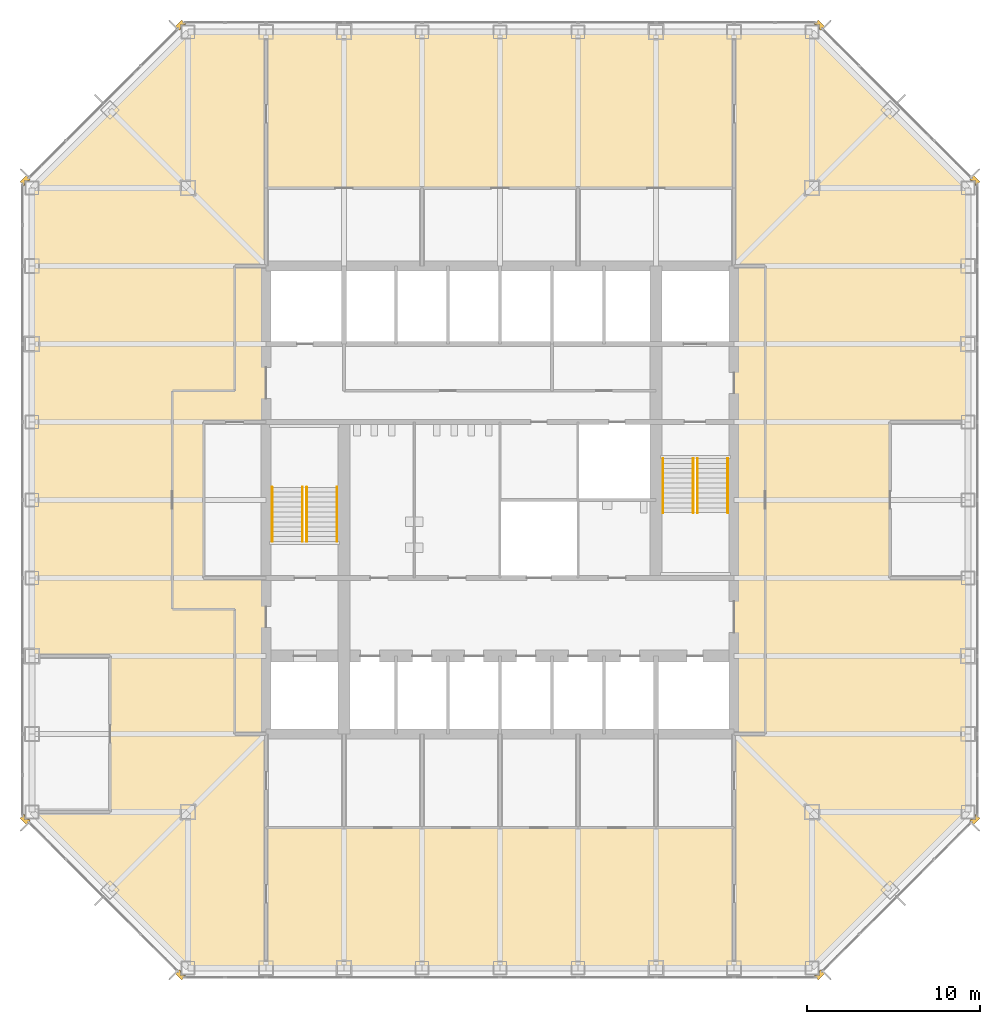
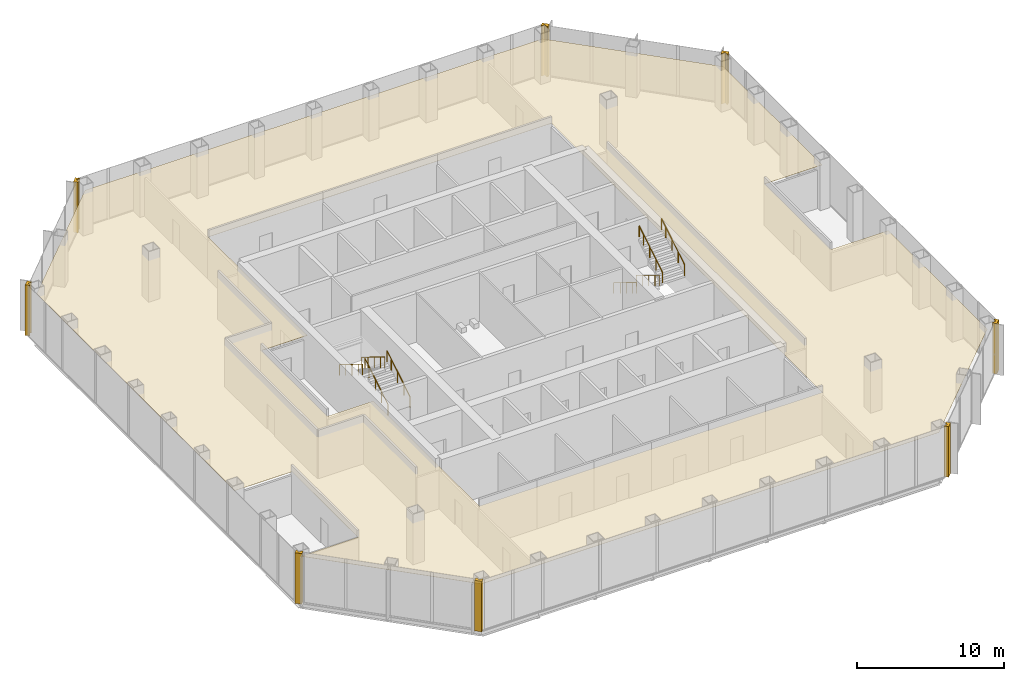
# One storey, part 11 of 12: 9 coverings, 8 railings.
"""IFC4 building model written with IfcOpenShell, lengths in metres."""

from ifc_helpers import new_model, si_unit, direction, frame, origin, origin_2d, place, context, subcontext, project, spatial, polyline, circle, outline, extrude, material, layer, layer_set, type_object, element, save


model = new_model("IFC4")

# Units and contexts
model_context = context("Model", 3, precision=1e-05, world=origin(), true_north=direction((0.0, 1.0)))
body_context = subcontext(model_context, "Body", "Model", "MODEL_VIEW")
ifc_project = project(units=[si_unit("LENGTHUNIT", "METRE"), si_unit("AREAUNIT", "SQUARE_METRE"), si_unit("VOLUMEUNIT", "CUBIC_METRE"), si_unit("PLANEANGLEUNIT", "RADIAN"), si_unit("MASSUNIT", "GRAM", prefix="KILO")], contexts=[model_context])

# Site, building, storey
site_placement = place(None, origin())
site = spatial("IfcSite", under=ifc_project, at=site_placement, CompositionType="ELEMENT")
building_placement = place(site_placement, origin())
building = spatial("IfcBuilding", under=site, at=building_placement, Name="Corais Broadcast Tower", CompositionType="ELEMENT")
storey_placement = place(building_placement, frame((0.0, 0.0, 54.199951171875)))
storey = spatial("IfcBuildingStorey", under=building, at=storey_placement, Name="L11", CompositionType="ELEMENT", Elevation=54.199951171875)

# Railings
ifc_material_1 = material(Name="Stainless steel handrail", Category="steel")
railing_type = type_object("IfcRailingType", Name="Handrail 920", PredefinedType="HANDRAIL", material=ifc_material_1)
for number, where, name in (
    (1, (17.60009765625, 24.60009765625, 0.175048828125), "HR1 L11"),
    (2, (15.85009765625, 24.60009765625, 0.175048828125), "HR1 L11"),
):
    element("IfcRailing", number, at=place(storey_placement, frame(where)), inside=storey, type_object=railing_type, Name=name, PredefinedType="HANDRAIL", context=body_context, shape_type="SweptSolid", body=[
        extrude(circle(Radius=0.02392578125, at=origin_2d()), frame((0.0, 0.0, 0.89599609375), z_axis=(0.0, 0.852166034122, 0.523271488128), x_axis=(-1.0, 0.0, 0.0)), (0.0, 0.0, 1.0), 3.678955078125),
        extrude(circle(Radius=0.02099609375, at=origin_2d()), origin(), (0.0, 0.0, 1.0), 0.871826171875),
        extrude(circle(Radius=0.02099609375, at=origin_2d()), frame((0.0, 0.85498046875, 0.52490234375)), (0.0, 0.0, 1.0), 0.871826171875),
        extrude(circle(Radius=0.02099609375, at=origin_2d()), frame((0.0, 1.7099609375, 1.050048828125)), (0.0, 0.0, 1.0), 0.871826171875),
        extrude(circle(Radius=0.02099609375, at=origin_2d()), frame((0.0, 2.56494140625, 1.574951171875)), (0.0, 0.0, 1.0), 0.871826171875),
        extrude(circle(Radius=0.02099609375, at=origin_2d()), frame((0.0, 3.135009765625, 1.925048828125)), (0.0, 0.0, 1.0), 0.871826171875),
    ])
for number, where, name in (
    (3, (13.85009765625, 27.735107421875, 2.275146484375), "HR1 L11"),
    (4, (15.60009765625, 27.735107421875, 2.275146484375), "HR1 L11"),
):
    element("IfcRailing", number, at=place(storey_placement, frame(where)), inside=storey, type_object=railing_type, Name=name, PredefinedType="HANDRAIL", context=body_context, shape_type="SweptSolid", body=[
        extrude(circle(Radius=0.02392578125, at=origin_2d()), frame((0.0, 0.0, 0.89599609375), z_axis=(0.0, -0.852195625947, 0.523223293744), x_axis=(1.0, 0.0, 0.0)), (0.0, 0.0, 1.0), 3.6787109375),
        extrude(circle(Radius=0.02099609375, at=origin_2d()), origin(), (0.0, 0.0, 1.0), 0.871826171875),
        extrude(circle(Radius=0.02099609375, at=origin_2d()), frame((0.0, -0.85498046875, 0.52490234375)), (0.0, 0.0, 1.0), 0.871826171875),
        extrude(circle(Radius=0.02099609375, at=origin_2d()), frame((0.0, -1.7099609375, 1.0498046875)), (0.0, 0.0, 1.0), 0.871826171875),
        extrude(circle(Radius=0.02099609375, at=origin_2d()), frame((0.0, -2.56494140625, 1.574951171875)), (0.0, 0.0, 1.0), 0.871826171875),
        extrude(circle(Radius=0.02099609375, at=origin_2d()), frame((0.0, -3.135009765625, 1.9248046875)), (0.0, 0.0, 1.0), 0.871826171875),
    ])
for number, where, name in (
    (5, (36.39990234375, 29.39990234375, 0.175048828125), "HR1 L11"),
    (6, (38.14990234375, 29.39990234375, 0.175048828125), "HR1 L11"),
):
    element("IfcRailing", number, at=place(storey_placement, frame(where)), inside=storey, type_object=railing_type, Name=name, PredefinedType="HANDRAIL", context=body_context, shape_type="SweptSolid", body=[
        extrude(circle(Radius=0.02392578125, at=origin_2d()), frame((0.0, 0.0, 0.89599609375), z_axis=(0.0, -0.852166034122, 0.523271488128), x_axis=(1.0, 0.0, 0.0)), (0.0, 0.0, 1.0), 3.678955078125),
        extrude(circle(Radius=0.02099609375, at=origin_2d()), origin(), (0.0, 0.0, 1.0), 0.871826171875),
        extrude(circle(Radius=0.02099609375, at=origin_2d()), frame((0.0, -0.85498046875, 0.52490234375)), (0.0, 0.0, 1.0), 0.871826171875),
        extrude(circle(Radius=0.02099609375, at=origin_2d()), frame((0.0, -1.7099609375, 1.050048828125)), (0.0, 0.0, 1.0), 0.871826171875),
        extrude(circle(Radius=0.02099609375, at=origin_2d()), frame((0.0, -2.56494140625, 1.574951171875)), (0.0, 0.0, 1.0), 0.871826171875),
        extrude(circle(Radius=0.02099609375, at=origin_2d()), frame((0.0, -3.135009765625, 1.925048828125)), (0.0, 0.0, 1.0), 0.871826171875),
    ])
for number, where, name in (
    (7, (40.14990234375, 26.264892578125, 2.275146484375), "HR1 L11"),
    (8, (38.39990234375, 26.264892578125, 2.275146484375), "HR1 L11"),
):
    element("IfcRailing", number, at=place(storey_placement, frame(where)), inside=storey, type_object=railing_type, Name=name, PredefinedType="HANDRAIL", context=body_context, shape_type="SweptSolid", body=[
        extrude(circle(Radius=0.02392578125, at=origin_2d()), frame((0.0, 0.0, 0.89599609375), z_axis=(0.0, 0.852195625947, 0.523223293744), x_axis=(-1.0, 0.0, 0.0)), (0.0, 0.0, 1.0), 3.6787109375),
        extrude(circle(Radius=0.02099609375, at=origin_2d()), origin(), (0.0, 0.0, 1.0), 0.871826171875),
        extrude(circle(Radius=0.02099609375, at=origin_2d()), frame((0.0, 0.85498046875, 0.52490234375)), (0.0, 0.0, 1.0), 0.871826171875),
        extrude(circle(Radius=0.02099609375, at=origin_2d()), frame((0.0, 1.7099609375, 1.0498046875)), (0.0, 0.0, 1.0), 0.871826171875),
        extrude(circle(Radius=0.02099609375, at=origin_2d()), frame((0.0, 2.56494140625, 1.574951171875)), (0.0, 0.0, 1.0), 0.871826171875),
        extrude(circle(Radius=0.02099609375, at=origin_2d()), frame((0.0, 3.135009765625, 1.9248046875)), (0.0, 0.0, 1.0), 0.871826171875),
    ])

# Coverings
ifc_material_2 = material(Name="Granite stone cladding", Category="masonry")
ifc_layer_1 = layer(ifc_material_2, 0.324951171875)
ifc_layer_set_1 = layer_set([ifc_layer_1], Name="Granite stone cladding")
covering_type_1 = type_object("IfcCoveringType", Name="Stone corner pier cladding 500x325", PredefinedType="CLADDING", material=ifc_layer_set_1)
covering_1_placement = place(storey_placement, origin())
element("IfcCovering", 9, at=covering_1_placement, inside=storey, type_object=covering_type_1, Name="SP1 stone corner pier L11", PredefinedType="CLADDING", context=body_context, shape_type="SweptSolid", body=[
    extrude(outline(polyline([(8.860595703125, -0.461669921875), (8.823974609375, -0.425048828125), (8.574951171875, -0.425048828125), (8.574951171875, -0.176025390625), (8.507080078125, -0.108154296875), (8.277099609375, -0.337890625), (8.630859375, -0.69140625), (8.860595703125, -0.461669921875)])), origin(), (0.0, 0.0, 1.0), 4.199951171875),
])
covering_2_placement = place(storey_placement, origin())
element("IfcCovering", 10, at=covering_2_placement, inside=storey, type_object=covering_type_1, Name="SP1 stone corner pier L11", PredefinedType="CLADDING", context=body_context, shape_type="SweptSolid", body=[
    extrude(outline(polyline([(-0.425048828125, 8.823974609375), (-0.461669921875, 8.860595703125), (-0.69140625, 8.630859375), (-0.337890625, 8.277099609375), (-0.108154296875, 8.507080078125), (-0.176025390625, 8.574951171875), (-0.425048828125, 8.574951171875), (-0.425048828125, 8.823974609375)])), origin(), (0.0, 0.0, 1.0), 4.199951171875),
])
covering_3_placement = place(storey_placement, origin())
element("IfcCovering", 11, at=covering_3_placement, inside=storey, type_object=covering_type_1, Name="SP1 stone corner pier L11", PredefinedType="CLADDING", context=body_context, shape_type="SweptSolid", body=[
    extrude(outline(polyline([(-0.461669921875, 45.139404296875), (-0.425048828125, 45.176025390625), (-0.425048828125, 45.425048828125), (-0.176025390625, 45.425048828125), (-0.108154296875, 45.492919921875), (-0.337890625, 45.722900390625), (-0.69140625, 45.369140625), (-0.461669921875, 45.139404296875)])), origin(), (0.0, 0.0, 1.0), 4.199951171875),
])
covering_4_placement = place(storey_placement, origin())
element("IfcCovering", 12, at=covering_4_placement, inside=storey, type_object=covering_type_1, Name="SP1 stone corner pier L11", PredefinedType="CLADDING", context=body_context, shape_type="SweptSolid", body=[
    extrude(outline(polyline([(8.823974609375, 54.425048828125), (8.860595703125, 54.461669921875), (8.630859375, 54.69140625), (8.277099609375, 54.337890625), (8.507080078125, 54.108154296875), (8.574951171875, 54.176025390625), (8.574951171875, 54.425048828125), (8.823974609375, 54.425048828125)])), origin(), (0.0, 0.0, 1.0), 4.199951171875),
])
covering_5_placement = place(storey_placement, origin())
element("IfcCovering", 13, at=covering_5_placement, inside=storey, type_object=covering_type_1, Name="SP1 stone corner pier L11", PredefinedType="CLADDING", context=body_context, shape_type="SweptSolid", body=[
    extrude(outline(polyline([(45.139404296875, 54.461669921875), (45.176025390625, 54.425048828125), (45.425048828125, 54.425048828125), (45.425048828125, 54.176025390625), (45.492919921875, 54.108154296875), (45.722900390625, 54.337890625), (45.369140625, 54.69140625), (45.139404296875, 54.461669921875)])), origin(), (0.0, 0.0, 1.0), 4.199951171875),
])
covering_6_placement = place(storey_placement, origin())
element("IfcCovering", 14, at=covering_6_placement, inside=storey, type_object=covering_type_1, Name="SP1 stone corner pier L11", PredefinedType="CLADDING", context=body_context, shape_type="SweptSolid", body=[
    extrude(outline(polyline([(54.425048828125, 45.176025390625), (54.461669921875, 45.139404296875), (54.69140625, 45.369140625), (54.337890625, 45.722900390625), (54.108154296875, 45.492919921875), (54.176025390625, 45.425048828125), (54.425048828125, 45.425048828125), (54.425048828125, 45.176025390625)])), origin(), (0.0, 0.0, 1.0), 4.199951171875),
])
covering_7_placement = place(storey_placement, origin())
element("IfcCovering", 15, at=covering_7_placement, inside=storey, type_object=covering_type_1, Name="SP1 stone corner pier L11", PredefinedType="CLADDING", context=body_context, shape_type="SweptSolid", body=[
    extrude(outline(polyline([(54.461669921875, 8.860595703125), (54.425048828125, 8.823974609375), (54.425048828125, 8.574951171875), (54.176025390625, 8.574951171875), (54.108154296875, 8.507080078125), (54.337890625, 8.277099609375), (54.69140625, 8.630859375), (54.461669921875, 8.860595703125)])), origin(), (0.0, 0.0, 1.0), 4.199951171875),
])
covering_8_placement = place(storey_placement, origin())
element("IfcCovering", 16, at=covering_8_placement, inside=storey, type_object=covering_type_1, Name="SP1 stone corner pier L11", PredefinedType="CLADDING", context=body_context, shape_type="SweptSolid", body=[
    extrude(outline(polyline([(45.176025390625, -0.425048828125), (45.139404296875, -0.461669921875), (45.369140625, -0.69140625), (45.722900390625, -0.337890625), (45.492919921875, -0.108154296875), (45.425048828125, -0.176025390625), (45.425048828125, -0.425048828125), (45.176025390625, -0.425048828125)])), origin(), (0.0, 0.0, 1.0), 4.199951171875),
])
ifc_material_3 = material(Name="Mineral fibre ceiling tile", Category="mineral")
ifc_layer_2 = layer(ifc_material_3, 0.02001953125)
ifc_layer_set_2 = layer_set([ifc_layer_2], Name="Mineral fibre ceiling tile")
covering_type_2 = type_object("IfcCoveringType", Name="Suspended ceiling", PredefinedType="CEILING", material=ifc_layer_set_2)
covering_9_placement = place(storey_placement, frame((0.0, 0.0, 3.420166015625)))
element("IfcCovering", 17, at=covering_9_placement, inside=storey, type_object=covering_type_2, Name="CE1 ceiling L11", PredefinedType="CEILING", context=body_context, shape_type="SweptSolid", body=[
    extrude(outline(polyline([(9.0, 0.0), (0.0, 9.0), (4.5, 9.0), (4.5, 18.0), (0.0, 18.0), (0.0, 45.0), (9.0, 54.0), (45.0, 54.0), (54.0, 45.0), (54.0, 31.5), (49.5, 31.5), (49.5, 22.5), (54.0, 22.5), (54.0, 9.0), (45.0, 0.0), (9.0, 0.0)]), holes=[polyline([(13.5, 31.5), (9.89990234375, 31.5), (9.89990234375, 22.5), (13.5, 22.5), (13.5, 8.10009765625), (40.5, 8.10009765625), (40.5, 45.0), (13.5, 45.0), (13.5, 31.5)])]), origin(), (0.0, 0.0, 1.0), 0.019775390625),
])

save(model, "model.ifc")
